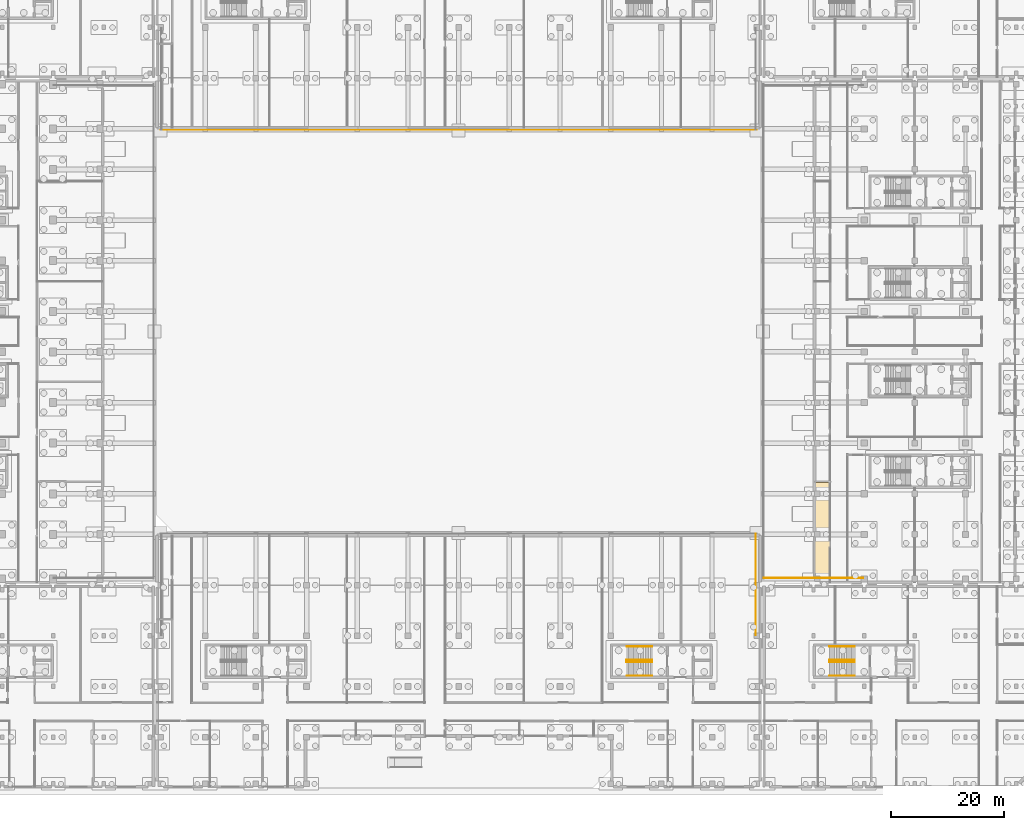
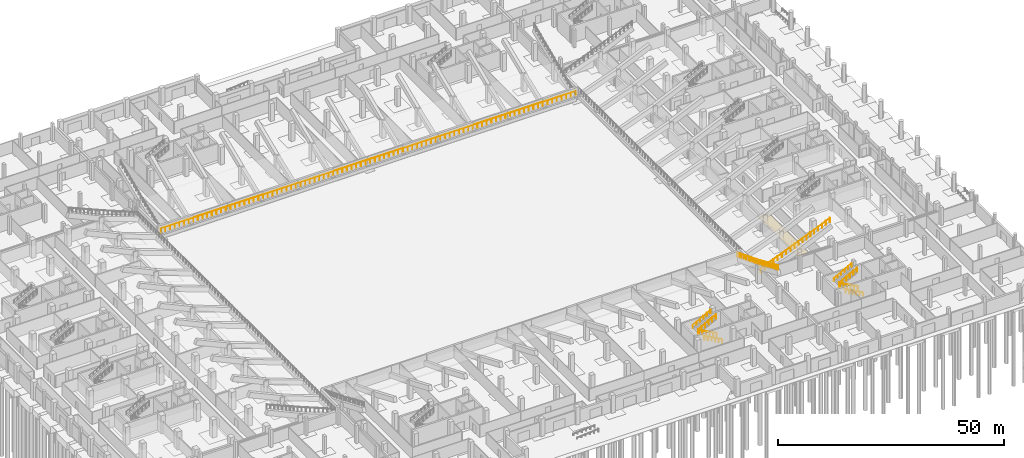
# One storey, part 47 of 53: 9 railings, 1 covering.
"""IFC4 building model written with IfcOpenShell, lengths in metres."""

from ifc_helpers import new_model, si_unit, direction, frame, origin, origin_2d, place, context, subcontext, project, spatial, polyline, circle, outline, extrude, material, layer, layer_set, type_object, element, save


model = new_model("IFC4")

# Units and contexts
model_context = context("Model", 3, precision=1e-05, world=origin(), true_north=direction((0.0, 1.0)))
body_context = subcontext(model_context, "Body", "Model", "MODEL_VIEW")
ifc_project = project(units=[si_unit("LENGTHUNIT", "METRE"), si_unit("AREAUNIT", "SQUARE_METRE"), si_unit("VOLUMEUNIT", "CUBIC_METRE"), si_unit("PLANEANGLEUNIT", "RADIAN"), si_unit("MASSUNIT", "GRAM", prefix="KILO"), si_unit("THERMODYNAMICTEMPERATUREUNIT", "KELVIN"), si_unit("POWERUNIT", "WATT")], contexts=[model_context])

# Site, building, storey
site_placement = place(None, origin())
site = spatial("IfcSite", under=ifc_project, at=site_placement, CompositionType="ELEMENT")
building_placement = place(site_placement, origin())
building = spatial("IfcBuilding", under=site, at=building_placement, Name="Sindhuravela Promenade Stadium", CompositionType="ELEMENT")
storey_placement = place(building_placement, origin())
storey = spatial("IfcBuildingStorey", under=building, at=storey_placement, Name="L00", CompositionType="ELEMENT", Elevation=0.0)

# Covering
ifc_material_1 = material(Name="Acoustic mineral-fibre ceiling tile", Category="gypsum")
ifc_layer = layer(ifc_material_1, 0.02490234375)
ifc_layer_set = layer_set([ifc_layer], Name="Acoustic mineral-fibre ceiling tile")
covering_type = type_object("IfcCoveringType", Name="CV-CEIL-1", PredefinedType="CEILING", material=ifc_layer_set)
covering_placement = place(storey_placement, frame((0.0, 0.0, 3.050048828125)))
element("IfcCovering", 1, at=covering_placement, inside=storey, type_object=covering_type, Name="Acoustic ceiling Stadium Club Shop 4", PredefinedType="CEILING", context=body_context, shape_type="SweptSolid", body=[
    extrude(outline(polyline([(173.97998046875, 36.570068359375), (173.97998046875, 36.568115234375), (173.9794921875, 36.566162109375), (173.97900390625, 36.564208984375), (173.978515625, 36.562255859375), (173.9775390625, 36.560546875), (173.9765625, 36.558837890625), (173.9755859375, 36.557373046875), (173.97412109375, 36.555908203125), (173.97265625, 36.554443359375), (173.97119140625, 36.553466796875), (173.969482421875, 36.552490234375), (173.9677734375, 36.551513671875), (173.9658203125, 36.55078125), (173.9638671875, 36.55029296875), (173.9619140625, 36.550048828125), (173.9599609375, 36.550048828125), (171.320068359375, 36.550048828125), (171.318115234375, 36.550048828125), (171.316162109375, 36.55029296875), (171.314208984375, 36.55078125), (171.312255859375, 36.551513671875), (171.310546875, 36.552490234375), (171.308837890625, 36.553466796875), (171.307373046875, 36.554443359375), (171.305908203125, 36.555908203125), (171.304443359375, 36.557373046875), (171.303466796875, 36.558837890625), (171.302490234375, 36.560546875), (171.301513671875, 36.562255859375), (171.30078125, 36.564208984375), (171.30029296875, 36.566162109375), (171.300048828125, 36.568115234375), (171.300048828125, 36.570068359375), (171.300048828125, 54.221923828125), (171.300048828125, 54.22412109375), (171.30029296875, 54.225830078125), (171.30078125, 54.227783203125), (171.301513671875, 54.229736328125), (171.302490234375, 54.2314453125), (171.303466796875, 54.233154296875), (171.304443359375, 54.234619140625), (171.305908203125, 54.236083984375), (171.307373046875, 54.237548828125), (171.308837890625, 54.238525390625), (171.310546875, 54.239501953125), (171.312255859375, 54.240478515625), (171.314208984375, 54.2412109375), (171.316162109375, 54.24169921875), (171.318115234375, 54.241943359375), (171.320068359375, 54.241943359375), (173.9599609375, 54.241943359375), (173.9619140625, 54.241943359375), (173.9638671875, 54.24169921875), (173.9658203125, 54.2412109375), (173.9677734375, 54.240478515625), (173.969482421875, 54.239501953125), (173.97119140625, 54.238525390625), (173.97265625, 54.237548828125), (173.97412109375, 54.236083984375), (173.9755859375, 54.234619140625), (173.9765625, 54.233154296875), (173.9775390625, 54.2314453125), (173.978515625, 54.229736328125), (173.97900390625, 54.227783203125), (173.9794921875, 54.225830078125), (173.97998046875, 54.22412109375), (173.97998046875, 54.221923828125), (173.97998046875, 36.570068359375)])), origin(), (0.0, 0.0, 1.0), 0.02490234375),
])

# Railings
ifc_material_2 = material(Name="Architectural wrought steel E350", Category="steel")
railing_type_1 = type_object("IfcRailingType", Name="RL-GRD-1150", PredefinedType="GUARDRAIL", material=ifc_material_2)
railing_1_placement = place(storey_placement, frame((162.14990234375, 37.25, 1.449951171875)))
element("IfcRailing", 2, at=railing_1_placement, inside=storey, type_object=railing_type_1, Name="Stand bowl crowd barrier GR01-95", PredefinedType="GUARDRAIL", context=body_context, shape_type="SweptSolid", body=[
    extrude(circle(Radius=0.02392578125, at=origin_2d()), frame((0.0, 0.0, 1.1259765625), z_axis=(0.9266377776708234, 0.0, 0.3759553550533327), x_axis=(0.0, 1.0, 0.0)), (0.0, 0.0, 1.0), 9.442626953125),
    extrude(circle(Radius=0.02392578125, at=origin_2d()), frame((8.75, 0.0, 4.67578125), z_axis=(0.9186127990796654, 0.0, 0.3951588609243405), x_axis=(0.0, 1.0, 0.0)), (0.0, 0.0, 1.0), 9.7431640625),
    extrude(circle(Radius=0.02099609375, at=origin_2d()), origin(), (0.0, 0.0, 1.0), 1.101806640625),
    extrude(circle(Radius=0.02099609375, at=origin_2d()), frame((1.09375, 0.0, 0.44384765625)), (0.0, 0.0, 1.0), 1.101806640625),
    extrude(circle(Radius=0.02099609375, at=origin_2d()), frame((2.1875, 0.0, 0.887451171875)), (0.0, 0.0, 1.0), 1.101806640625),
    extrude(circle(Radius=0.02099609375, at=origin_2d()), frame((3.28125, 0.0, 1.331298828125)), (0.0, 0.0, 1.0), 1.101806640625),
    extrude(circle(Radius=0.02099609375, at=origin_2d()), frame((4.375, 0.0, 1.77490234375)), (0.0, 0.0, 1.0), 1.101806640625),
    extrude(circle(Radius=0.02099609375, at=origin_2d()), frame((5.46875, 0.0, 2.21875)), (0.0, 0.0, 1.0), 1.101806640625),
    extrude(circle(Radius=0.02099609375, at=origin_2d()), frame((6.5625, 0.0, 2.66259765625)), (0.0, 0.0, 1.0), 1.101806640625),
    extrude(circle(Radius=0.02099609375, at=origin_2d()), frame((7.65625, 0.0, 3.106201171875)), (0.0, 0.0, 1.0), 1.101806640625),
    extrude(circle(Radius=0.02099609375, at=origin_2d()), frame((8.75, 0.0, 3.550048828125)), (0.0, 0.0, 1.0), 1.101806640625),
    extrude(circle(Radius=0.02099609375, at=origin_2d()), frame((9.744384765625, 0.0, 3.977783203125)), (0.0, 0.0, 1.0), 1.101806640625),
    extrude(circle(Radius=0.02099609375, at=origin_2d()), frame((10.739013671875, 0.0, 4.405517578125)), (0.0, 0.0, 1.0), 1.101806640625),
    extrude(circle(Radius=0.02099609375, at=origin_2d()), frame((11.7333984375, 0.0, 4.83349609375)), (0.0, 0.0, 1.0), 1.101806640625),
    extrude(circle(Radius=0.02099609375, at=origin_2d()), frame((12.727783203125, 0.0, 5.26123046875)), (0.0, 0.0, 1.0), 1.101806640625),
    extrude(circle(Radius=0.02099609375, at=origin_2d()), frame((13.722412109375, 0.0, 5.68896484375)), (0.0, 0.0, 1.0), 1.101806640625),
    extrude(circle(Radius=0.02099609375, at=origin_2d()), frame((14.716796875, 0.0, 6.11669921875)), (0.0, 0.0, 1.0), 1.101806640625),
    extrude(circle(Radius=0.02099609375, at=origin_2d()), frame((15.711181640625, 0.0, 6.544677734375)), (0.0, 0.0, 1.0), 1.101806640625),
    extrude(circle(Radius=0.02099609375, at=origin_2d()), frame((16.705810546875, 0.0, 6.972412109375)), (0.0, 0.0, 1.0), 1.101806640625),
    extrude(circle(Radius=0.02099609375, at=origin_2d()), frame((17.7001953125, 0.0, 7.400146484375)), (0.0, 0.0, 1.0), 1.101806640625),
])
railing_2_placement = place(storey_placement, frame((160.75, 45.10009765625, 1.449951171875)))
element("IfcRailing", 3, at=railing_2_placement, inside=storey, type_object=railing_type_1, Name="Stand bowl crowd barrier GR01-100", PredefinedType="GUARDRAIL", context=body_context, shape_type="SweptSolid", body=[
    extrude(circle(Radius=0.02392578125, at=origin_2d()), frame((0.0, 0.0, 1.1259765625), z_axis=(0.0, -0.9302463636097077, 0.3669355570000206), x_axis=(1.0, 0.0, 0.0)), (0.0, 0.0, 1.0), 9.6748046875),
    extrude(circle(Radius=0.02392578125, at=origin_2d()), frame((0.0, -9.0, 4.67578125), z_axis=(0.0, -0.9186127990796654, 0.3951588609243405), x_axis=(1.0, 0.0, 0.0)), (0.0, 0.0, 1.0), 9.7431640625),
    extrude(circle(Radius=0.02099609375, at=origin_2d()), origin(), (0.0, 0.0, 1.0), 1.101806640625),
    extrude(circle(Radius=0.02099609375, at=origin_2d()), frame((0.0, -1.0, 0.39453125)), (0.0, 0.0, 1.0), 1.101806640625),
    extrude(circle(Radius=0.02099609375, at=origin_2d()), frame((0.0, -2.0, 0.788818359375)), (0.0, 0.0, 1.0), 1.101806640625),
    extrude(circle(Radius=0.02099609375, at=origin_2d()), frame((0.0, -3.0, 1.183349609375)), (0.0, 0.0, 1.0), 1.101806640625),
    extrude(circle(Radius=0.02099609375, at=origin_2d()), frame((0.0, -4.0, 1.577880859375)), (0.0, 0.0, 1.0), 1.101806640625),
    extrude(circle(Radius=0.02099609375, at=origin_2d()), frame((0.0, -5.0, 1.97216796875)), (0.0, 0.0, 1.0), 1.101806640625),
    extrude(circle(Radius=0.02099609375, at=origin_2d()), frame((0.0, -6.0, 2.36669921875)), (0.0, 0.0, 1.0), 1.101806640625),
    extrude(circle(Radius=0.02099609375, at=origin_2d()), frame((0.0, -7.0, 2.76123046875)), (0.0, 0.0, 1.0), 1.101806640625),
    extrude(circle(Radius=0.02099609375, at=origin_2d()), frame((0.0, -8.0, 3.155517578125)), (0.0, 0.0, 1.0), 1.101806640625),
    extrude(circle(Radius=0.02099609375, at=origin_2d()), frame((0.0, -9.0, 3.550048828125)), (0.0, 0.0, 1.0), 1.101806640625),
    extrude(circle(Radius=0.02099609375, at=origin_2d()), frame((0.0, -9.994384765625, 3.977783203125)), (0.0, 0.0, 1.0), 1.101806640625),
    extrude(circle(Radius=0.02099609375, at=origin_2d()), frame((0.0, -10.989013671875, 4.405517578125)), (0.0, 0.0, 1.0), 1.101806640625),
    extrude(circle(Radius=0.02099609375, at=origin_2d()), frame((0.0, -11.9833984375, 4.83349609375)), (0.0, 0.0, 1.0), 1.101806640625),
    extrude(circle(Radius=0.02099609375, at=origin_2d()), frame((0.0, -12.977783203125, 5.26123046875)), (0.0, 0.0, 1.0), 1.101806640625),
    extrude(circle(Radius=0.02099609375, at=origin_2d()), frame((0.0, -13.972412109375, 5.68896484375)), (0.0, 0.0, 1.0), 1.101806640625),
    extrude(circle(Radius=0.02099609375, at=origin_2d()), frame((0.0, -14.966796875, 6.11669921875)), (0.0, 0.0, 1.0), 1.101806640625),
    extrude(circle(Radius=0.02099609375, at=origin_2d()), frame((0.0, -15.961181640625, 6.544677734375)), (0.0, 0.0, 1.0), 1.101806640625),
    extrude(circle(Radius=0.02099609375, at=origin_2d()), frame((0.0, -16.955810546875, 6.972412109375)), (0.0, 0.0, 1.0), 1.101806640625),
    extrude(circle(Radius=0.02099609375, at=origin_2d()), frame((0.0, -17.9501953125, 7.400146484375)), (0.0, 0.0, 1.0), 1.101806640625),
])
railing_3_placement = place(storey_placement, frame((55.10009765625, 116.89990234375, 1.449951171875)))
element("IfcRailing", 4, at=railing_3_placement, inside=storey, type_object=railing_type_1, Name="Stand bowl crowd barrier GR01-101", PredefinedType="GUARDRAIL", context=body_context, shape_type="SweptSolid", body=[
    extrude(circle(Radius=0.02392578125, at=origin_2d()), frame((0.0, 0.0, 1.1259765625), z_axis=(1.0, 0.0, 0.0), x_axis=(0.0, 1.0, 0.0)), (0.0, 0.0, 1.0), 105.7998046875),
    extrude(circle(Radius=0.02099609375, at=origin_2d()), origin(), (0.0, 0.0, 1.0), 1.101806640625),
    extrude(circle(Radius=0.02099609375, at=origin_2d()), frame((1.188720703125, 0.0, 0.0)), (0.0, 0.0, 1.0), 1.101806640625),
    extrude(circle(Radius=0.02099609375, at=origin_2d()), frame((2.37744140625, 0.0, 0.0)), (0.0, 0.0, 1.0), 1.101806640625),
    extrude(circle(Radius=0.02099609375, at=origin_2d()), frame((3.56640625, 0.0, 0.0)), (0.0, 0.0, 1.0), 1.101806640625),
    extrude(circle(Radius=0.02099609375, at=origin_2d()), frame((4.755126953125, 0.0, 0.0)), (0.0, 0.0, 1.0), 1.101806640625),
    extrude(circle(Radius=0.02099609375, at=origin_2d()), frame((5.94384765625, 0.0, 0.0)), (0.0, 0.0, 1.0), 1.101806640625),
    extrude(circle(Radius=0.02099609375, at=origin_2d()), frame((7.132568359375, 0.0, 0.0)), (0.0, 0.0, 1.0), 1.101806640625),
    extrude(circle(Radius=0.02099609375, at=origin_2d()), frame((8.3212890625, 0.0, 0.0)), (0.0, 0.0, 1.0), 1.101806640625),
    extrude(circle(Radius=0.02099609375, at=origin_2d()), frame((9.510009765625, 0.0, 0.0)), (0.0, 0.0, 1.0), 1.101806640625),
    extrude(circle(Radius=0.02099609375, at=origin_2d()), frame((10.698974609375, 0.0, 0.0)), (0.0, 0.0, 1.0), 1.101806640625),
    extrude(circle(Radius=0.02099609375, at=origin_2d()), frame((11.8876953125, 0.0, 0.0)), (0.0, 0.0, 1.0), 1.101806640625),
    extrude(circle(Radius=0.02099609375, at=origin_2d()), frame((13.076416015625, 0.0, 0.0)), (0.0, 0.0, 1.0), 1.101806640625),
    extrude(circle(Radius=0.02099609375, at=origin_2d()), frame((14.26513671875, 0.0, 0.0)), (0.0, 0.0, 1.0), 1.101806640625),
    extrude(circle(Radius=0.02099609375, at=origin_2d()), frame((15.453857421875, 0.0, 0.0)), (0.0, 0.0, 1.0), 1.101806640625),
    extrude(circle(Radius=0.02099609375, at=origin_2d()), frame((16.642578125, 0.0, 0.0)), (0.0, 0.0, 1.0), 1.101806640625),
    extrude(circle(Radius=0.02099609375, at=origin_2d()), frame((17.83154296875, 0.0, 0.0)), (0.0, 0.0, 1.0), 1.101806640625),
    extrude(circle(Radius=0.02099609375, at=origin_2d()), frame((19.020263671875, 0.0, 0.0)), (0.0, 0.0, 1.0), 1.101806640625),
    extrude(circle(Radius=0.02099609375, at=origin_2d()), frame((20.208984375, 0.0, 0.0)), (0.0, 0.0, 1.0), 1.101806640625),
    extrude(circle(Radius=0.02099609375, at=origin_2d()), frame((21.397705078125, 0.0, 0.0)), (0.0, 0.0, 1.0), 1.101806640625),
    extrude(circle(Radius=0.02099609375, at=origin_2d()), frame((22.58642578125, 0.0, 0.0)), (0.0, 0.0, 1.0), 1.101806640625),
    extrude(circle(Radius=0.02099609375, at=origin_2d()), frame((23.775146484375, 0.0, 0.0)), (0.0, 0.0, 1.0), 1.101806640625),
    extrude(circle(Radius=0.02099609375, at=origin_2d()), frame((24.964111328125, 0.0, 0.0)), (0.0, 0.0, 1.0), 1.101806640625),
    extrude(circle(Radius=0.02099609375, at=origin_2d()), frame((26.15283203125, 0.0, 0.0)), (0.0, 0.0, 1.0), 1.101806640625),
    extrude(circle(Radius=0.02099609375, at=origin_2d()), frame((27.341552734375, 0.0, 0.0)), (0.0, 0.0, 1.0), 1.101806640625),
    extrude(circle(Radius=0.02099609375, at=origin_2d()), frame((28.5302734375, 0.0, 0.0)), (0.0, 0.0, 1.0), 1.101806640625),
    extrude(circle(Radius=0.02099609375, at=origin_2d()), frame((29.718994140625, 0.0, 0.0)), (0.0, 0.0, 1.0), 1.101806640625),
    extrude(circle(Radius=0.02099609375, at=origin_2d()), frame((30.90771484375, 0.0, 0.0)), (0.0, 0.0, 1.0), 1.101806640625),
    extrude(circle(Radius=0.02099609375, at=origin_2d()), frame((32.0966796875, 0.0, 0.0)), (0.0, 0.0, 1.0), 1.101806640625),
    extrude(circle(Radius=0.02099609375, at=origin_2d()), frame((33.285400390625, 0.0, 0.0)), (0.0, 0.0, 1.0), 1.101806640625),
    extrude(circle(Radius=0.02099609375, at=origin_2d()), frame((34.47412109375, 0.0, 0.0)), (0.0, 0.0, 1.0), 1.101806640625),
    extrude(circle(Radius=0.02099609375, at=origin_2d()), frame((35.662841796875, 0.0, 0.0)), (0.0, 0.0, 1.0), 1.101806640625),
    extrude(circle(Radius=0.02099609375, at=origin_2d()), frame((36.8515625, 0.0, 0.0)), (0.0, 0.0, 1.0), 1.101806640625),
    extrude(circle(Radius=0.02099609375, at=origin_2d()), frame((38.040283203125, 0.0, 0.0)), (0.0, 0.0, 1.0), 1.101806640625),
    extrude(circle(Radius=0.02099609375, at=origin_2d()), frame((39.229248046875, 0.0, 0.0)), (0.0, 0.0, 1.0), 1.101806640625),
    extrude(circle(Radius=0.02099609375, at=origin_2d()), frame((40.41796875, 0.0, 0.0)), (0.0, 0.0, 1.0), 1.101806640625),
    extrude(circle(Radius=0.02099609375, at=origin_2d()), frame((41.606689453125, 0.0, 0.0)), (0.0, 0.0, 1.0), 1.101806640625),
    extrude(circle(Radius=0.02099609375, at=origin_2d()), frame((42.79541015625, 0.0, 0.0)), (0.0, 0.0, 1.0), 1.101806640625),
    extrude(circle(Radius=0.02099609375, at=origin_2d()), frame((43.984130859375, 0.0, 0.0)), (0.0, 0.0, 1.0), 1.101806640625),
    extrude(circle(Radius=0.02099609375, at=origin_2d()), frame((45.1728515625, 0.0, 0.0)), (0.0, 0.0, 1.0), 1.101806640625),
    extrude(circle(Radius=0.02099609375, at=origin_2d()), frame((46.36181640625, 0.0, 0.0)), (0.0, 0.0, 1.0), 1.101806640625),
    extrude(circle(Radius=0.02099609375, at=origin_2d()), frame((47.550537109375, 0.0, 0.0)), (0.0, 0.0, 1.0), 1.101806640625),
    extrude(circle(Radius=0.02099609375, at=origin_2d()), frame((48.7392578125, 0.0, 0.0)), (0.0, 0.0, 1.0), 1.101806640625),
    extrude(circle(Radius=0.02099609375, at=origin_2d()), frame((49.927978515625, 0.0, 0.0)), (0.0, 0.0, 1.0), 1.101806640625),
    extrude(circle(Radius=0.02099609375, at=origin_2d()), frame((51.11669921875, 0.0, 0.0)), (0.0, 0.0, 1.0), 1.101806640625),
    extrude(circle(Radius=0.02099609375, at=origin_2d()), frame((52.305419921875, 0.0, 0.0)), (0.0, 0.0, 1.0), 1.101806640625),
    extrude(circle(Radius=0.02099609375, at=origin_2d()), frame((53.494384765625, 0.0, 0.0)), (0.0, 0.0, 1.0), 1.101806640625),
    extrude(circle(Radius=0.02099609375, at=origin_2d()), frame((54.68310546875, 0.0, 0.0)), (0.0, 0.0, 1.0), 1.101806640625),
    extrude(circle(Radius=0.02099609375, at=origin_2d()), frame((55.871826171875, 0.0, 0.0)), (0.0, 0.0, 1.0), 1.101806640625),
    extrude(circle(Radius=0.02099609375, at=origin_2d()), frame((57.060546875, 0.0, 0.0)), (0.0, 0.0, 1.0), 1.101806640625),
    extrude(circle(Radius=0.02099609375, at=origin_2d()), frame((58.249267578125, 0.0, 0.0)), (0.0, 0.0, 1.0), 1.101806640625),
    extrude(circle(Radius=0.02099609375, at=origin_2d()), frame((59.43798828125, 0.0, 0.0)), (0.0, 0.0, 1.0), 1.101806640625),
    extrude(circle(Radius=0.02099609375, at=origin_2d()), frame((60.626953125, 0.0, 0.0)), (0.0, 0.0, 1.0), 1.101806640625),
    extrude(circle(Radius=0.02099609375, at=origin_2d()), frame((61.815673828125, 0.0, 0.0)), (0.0, 0.0, 1.0), 1.101806640625),
    extrude(circle(Radius=0.02099609375, at=origin_2d()), frame((63.00439453125, 0.0, 0.0)), (0.0, 0.0, 1.0), 1.101806640625),
    extrude(circle(Radius=0.02099609375, at=origin_2d()), frame((64.193115234375, 0.0, 0.0)), (0.0, 0.0, 1.0), 1.101806640625),
    extrude(circle(Radius=0.02099609375, at=origin_2d()), frame((65.3818359375, 0.0, 0.0)), (0.0, 0.0, 1.0), 1.101806640625),
    extrude(circle(Radius=0.02099609375, at=origin_2d()), frame((66.570556640625, 0.0, 0.0)), (0.0, 0.0, 1.0), 1.101806640625),
    extrude(circle(Radius=0.02099609375, at=origin_2d()), frame((67.759521484375, 0.0, 0.0)), (0.0, 0.0, 1.0), 1.101806640625),
    extrude(circle(Radius=0.02099609375, at=origin_2d()), frame((68.9482421875, 0.0, 0.0)), (0.0, 0.0, 1.0), 1.101806640625),
    extrude(circle(Radius=0.02099609375, at=origin_2d()), frame((70.136962890625, 0.0, 0.0)), (0.0, 0.0, 1.0), 1.101806640625),
    extrude(circle(Radius=0.02099609375, at=origin_2d()), frame((71.32568359375, 0.0, 0.0)), (0.0, 0.0, 1.0), 1.101806640625),
    extrude(circle(Radius=0.02099609375, at=origin_2d()), frame((72.514404296875, 0.0, 0.0)), (0.0, 0.0, 1.0), 1.101806640625),
    extrude(circle(Radius=0.02099609375, at=origin_2d()), frame((73.703125, 0.0, 0.0)), (0.0, 0.0, 1.0), 1.101806640625),
    extrude(circle(Radius=0.02099609375, at=origin_2d()), frame((74.89208984375, 0.0, 0.0)), (0.0, 0.0, 1.0), 1.101806640625),
    extrude(circle(Radius=0.02099609375, at=origin_2d()), frame((76.080810546875, 0.0, 0.0)), (0.0, 0.0, 1.0), 1.101806640625),
    extrude(circle(Radius=0.02099609375, at=origin_2d()), frame((77.26953125, 0.0, 0.0)), (0.0, 0.0, 1.0), 1.101806640625),
    extrude(circle(Radius=0.02099609375, at=origin_2d()), frame((78.458251953125, 0.0, 0.0)), (0.0, 0.0, 1.0), 1.101806640625),
    extrude(circle(Radius=0.02099609375, at=origin_2d()), frame((79.64697265625, 0.0, 0.0)), (0.0, 0.0, 1.0), 1.101806640625),
    extrude(circle(Radius=0.02099609375, at=origin_2d()), frame((80.835693359375, 0.0, 0.0)), (0.0, 0.0, 1.0), 1.101806640625),
    extrude(circle(Radius=0.02099609375, at=origin_2d()), frame((82.024658203125, 0.0, 0.0)), (0.0, 0.0, 1.0), 1.101806640625),
    extrude(circle(Radius=0.02099609375, at=origin_2d()), frame((83.21337890625, 0.0, 0.0)), (0.0, 0.0, 1.0), 1.101806640625),
    extrude(circle(Radius=0.02099609375, at=origin_2d()), frame((84.402099609375, 0.0, 0.0)), (0.0, 0.0, 1.0), 1.101806640625),
    extrude(circle(Radius=0.02099609375, at=origin_2d()), frame((85.5908203125, 0.0, 0.0)), (0.0, 0.0, 1.0), 1.101806640625),
    extrude(circle(Radius=0.02099609375, at=origin_2d()), frame((86.779541015625, 0.0, 0.0)), (0.0, 0.0, 1.0), 1.101806640625),
    extrude(circle(Radius=0.02099609375, at=origin_2d()), frame((87.96826171875, 0.0, 0.0)), (0.0, 0.0, 1.0), 1.101806640625),
    extrude(circle(Radius=0.02099609375, at=origin_2d()), frame((89.1572265625, 0.0, 0.0)), (0.0, 0.0, 1.0), 1.101806640625),
    extrude(circle(Radius=0.02099609375, at=origin_2d()), frame((90.345947265625, 0.0, 0.0)), (0.0, 0.0, 1.0), 1.101806640625),
    extrude(circle(Radius=0.02099609375, at=origin_2d()), frame((91.53466796875, 0.0, 0.0)), (0.0, 0.0, 1.0), 1.101806640625),
    extrude(circle(Radius=0.02099609375, at=origin_2d()), frame((92.723388671875, 0.0, 0.0)), (0.0, 0.0, 1.0), 1.101806640625),
    extrude(circle(Radius=0.02099609375, at=origin_2d()), frame((93.912109375, 0.0, 0.0)), (0.0, 0.0, 1.0), 1.101806640625),
    extrude(circle(Radius=0.02099609375, at=origin_2d()), frame((95.100830078125, 0.0, 0.0)), (0.0, 0.0, 1.0), 1.101806640625),
    extrude(circle(Radius=0.02099609375, at=origin_2d()), frame((96.289794921875, 0.0, 0.0)), (0.0, 0.0, 1.0), 1.101806640625),
    extrude(circle(Radius=0.02099609375, at=origin_2d()), frame((97.478515625, 0.0, 0.0)), (0.0, 0.0, 1.0), 1.101806640625),
    extrude(circle(Radius=0.02099609375, at=origin_2d()), frame((98.667236328125, 0.0, 0.0)), (0.0, 0.0, 1.0), 1.101806640625),
    extrude(circle(Radius=0.02099609375, at=origin_2d()), frame((99.85595703125, 0.0, 0.0)), (0.0, 0.0, 1.0), 1.101806640625),
    extrude(circle(Radius=0.02099609375, at=origin_2d()), frame((101.044677734375, 0.0, 0.0)), (0.0, 0.0, 1.0), 1.101806640625),
    extrude(circle(Radius=0.02099609375, at=origin_2d()), frame((102.2333984375, 0.0, 0.0)), (0.0, 0.0, 1.0), 1.101806640625),
    extrude(circle(Radius=0.02099609375, at=origin_2d()), frame((103.42236328125, 0.0, 0.0)), (0.0, 0.0, 1.0), 1.101806640625),
    extrude(circle(Radius=0.02099609375, at=origin_2d()), frame((104.611083984375, 0.0, 0.0)), (0.0, 0.0, 1.0), 1.101806640625),
    extrude(circle(Radius=0.02099609375, at=origin_2d()), frame((105.7998046875, 0.0, 0.0)), (0.0, 0.0, 1.0), 1.101806640625),
])
railing_4_placement = place(storey_placement, frame((142.35009765625, 22.31005859375, 0.0)))
element("IfcRailing", 5, at=railing_4_placement, inside=storey, type_object=railing_type_1, Name="Stair ST12 inner well guard (L00)", PredefinedType="GUARDRAIL", context=body_context, shape_type="SweptSolid", body=[
    extrude(circle(Radius=0.02392578125, at=origin_2d()), frame((0.0, 0.0, 1.1259765625), z_axis=(-0.8836546633431795, 0.0, 0.46813933390802775), x_axis=(0.0, -1.0, 0.0)), (0.0, 0.0, 1.0), 5.12646484375),
    extrude(circle(Radius=0.02392578125, at=origin_2d()), frame((-4.530029296875, 0.0, 3.52587890625), z_axis=(0.0, 1.0, 0.0), x_axis=(-1.0, 0.0, 0.0)), (0.0, 0.0, 1.0), 0.3798828125),
    extrude(circle(Radius=0.02392578125, at=origin_2d()), frame((-4.530029296875, 0.3798828125, 3.52587890625), z_axis=(0.8836349624059475, 0.0, 0.46817651928929505), x_axis=(0.0, 1.0, 0.0)), (0.0, 0.0, 1.0), 5.12646484375),
    extrude(circle(Radius=0.02099609375, at=origin_2d()), origin(), (0.0, 0.0, 1.0), 1.101806640625),
    extrude(circle(Radius=0.02099609375, at=origin_2d()), frame((-0.906005859375, 0.0, 0.47998046875)), (0.0, 0.0, 1.0), 1.101806640625),
    extrude(circle(Radius=0.02099609375, at=origin_2d()), frame((-1.81201171875, 0.0, 0.9599609375)), (0.0, 0.0, 1.0), 1.101806640625),
    extrude(circle(Radius=0.02099609375, at=origin_2d()), frame((-2.718017578125, 0.0, 1.43994140625)), (0.0, 0.0, 1.0), 1.101806640625),
    extrude(circle(Radius=0.02099609375, at=origin_2d()), frame((-3.6240234375, 0.0, 1.919921875)), (0.0, 0.0, 1.0), 1.101806640625),
    extrude(circle(Radius=0.02099609375, at=origin_2d()), frame((-4.530029296875, 0.0, 2.39990234375)), (0.0, 0.0, 1.0), 1.101806640625),
    extrude(circle(Radius=0.02099609375, at=origin_2d()), frame((-4.530029296875, 0.3798828125, 2.39990234375)), (0.0, 0.0, 1.0), 1.101806640625),
    extrude(circle(Radius=0.02099609375, at=origin_2d()), frame((-3.6240234375, 0.3798828125, 2.8798828125)), (0.0, 0.0, 1.0), 1.101806640625),
    extrude(circle(Radius=0.02099609375, at=origin_2d()), frame((-2.718017578125, 0.3798828125, 3.35986328125)), (0.0, 0.0, 1.0), 1.101806640625),
    extrude(circle(Radius=0.02099609375, at=origin_2d()), frame((-1.81201171875, 0.3798828125, 3.840087890625)), (0.0, 0.0, 1.0), 1.101806640625),
    extrude(circle(Radius=0.02099609375, at=origin_2d()), frame((-0.906005859375, 0.3798828125, 4.320068359375)), (0.0, 0.0, 1.0), 1.101806640625),
    extrude(circle(Radius=0.02099609375, at=origin_2d()), frame((0.0, 0.3798828125, 4.800048828125)), (0.0, 0.0, 1.0), 1.101806640625),
])
railing_5_placement = place(storey_placement, frame((178.35009765625, 22.31005859375, 0.0)))
element("IfcRailing", 6, at=railing_5_placement, inside=storey, type_object=railing_type_1, Name="Stair GS02 inner well guard (L00)", PredefinedType="GUARDRAIL", context=body_context, shape_type="SweptSolid", body=[
    extrude(circle(Radius=0.02392578125, at=origin_2d()), frame((0.0, 0.0, 1.1259765625), z_axis=(-0.8836546633431795, 0.0, 0.46813933390802775), x_axis=(0.0, -1.0, 0.0)), (0.0, 0.0, 1.0), 5.12646484375),
    extrude(circle(Radius=0.02392578125, at=origin_2d()), frame((-4.530029296875, 0.0, 3.52587890625), z_axis=(0.0, 1.0, 0.0), x_axis=(-1.0, 0.0, 0.0)), (0.0, 0.0, 1.0), 0.3798828125),
    extrude(circle(Radius=0.02392578125, at=origin_2d()), frame((-4.530029296875, 0.3798828125, 3.52587890625), z_axis=(0.8836349624059475, 0.0, 0.46817651928929505), x_axis=(0.0, 1.0, 0.0)), (0.0, 0.0, 1.0), 5.12646484375),
    extrude(circle(Radius=0.02099609375, at=origin_2d()), origin(), (0.0, 0.0, 1.0), 1.101806640625),
    extrude(circle(Radius=0.02099609375, at=origin_2d()), frame((-0.906005859375, 0.0, 0.47998046875)), (0.0, 0.0, 1.0), 1.101806640625),
    extrude(circle(Radius=0.02099609375, at=origin_2d()), frame((-1.81201171875, 0.0, 0.9599609375)), (0.0, 0.0, 1.0), 1.101806640625),
    extrude(circle(Radius=0.02099609375, at=origin_2d()), frame((-2.718017578125, 0.0, 1.43994140625)), (0.0, 0.0, 1.0), 1.101806640625),
    extrude(circle(Radius=0.02099609375, at=origin_2d()), frame((-3.6240234375, 0.0, 1.919921875)), (0.0, 0.0, 1.0), 1.101806640625),
    extrude(circle(Radius=0.02099609375, at=origin_2d()), frame((-4.530029296875, 0.0, 2.39990234375)), (0.0, 0.0, 1.0), 1.101806640625),
    extrude(circle(Radius=0.02099609375, at=origin_2d()), frame((-4.530029296875, 0.3798828125, 2.39990234375)), (0.0, 0.0, 1.0), 1.101806640625),
    extrude(circle(Radius=0.02099609375, at=origin_2d()), frame((-3.6240234375, 0.3798828125, 2.8798828125)), (0.0, 0.0, 1.0), 1.101806640625),
    extrude(circle(Radius=0.02099609375, at=origin_2d()), frame((-2.718017578125, 0.3798828125, 3.35986328125)), (0.0, 0.0, 1.0), 1.101806640625),
    extrude(circle(Radius=0.02099609375, at=origin_2d()), frame((-1.81201171875, 0.3798828125, 3.840087890625)), (0.0, 0.0, 1.0), 1.101806640625),
    extrude(circle(Radius=0.02099609375, at=origin_2d()), frame((-0.906005859375, 0.3798828125, 4.320068359375)), (0.0, 0.0, 1.0), 1.101806640625),
    extrude(circle(Radius=0.02099609375, at=origin_2d()), frame((0.0, 0.3798828125, 4.800048828125)), (0.0, 0.0, 1.0), 1.101806640625),
])
railing_type_2 = type_object("IfcRailingType", Name="RL-HND-920", PredefinedType="HANDRAIL", material=ifc_material_2)
railing_6_placement = place(storey_placement, frame((142.35009765625, 19.919921875, 0.0)))
element("IfcRailing", 7, at=railing_6_placement, inside=storey, type_object=railing_type_2, Name="Stair ST12 lower wall handrail (L00)", PredefinedType="HANDRAIL", context=body_context, shape_type="SweptSolid", body=[
    extrude(circle(Radius=0.02392578125, at=origin_2d()), frame((0.0, 0.0, 0.89599609375), z_axis=(-0.8823608919668723, 0.0, 0.4705733272588083), x_axis=(0.0, -1.0, 0.0)), (0.0, 0.0, 1.0), 5.099853515625),
    extrude(circle(Radius=0.02099609375, at=origin_2d()), origin(), (0.0, 0.0, 1.0), 0.871826171875),
    extrude(circle(Radius=0.02099609375, at=origin_2d()), frame((-0.89990234375, 0.0, 0.47998046875)), (0.0, 0.0, 1.0), 0.871826171875),
    extrude(circle(Radius=0.02099609375, at=origin_2d()), frame((-1.800048828125, 0.0, 0.9599609375)), (0.0, 0.0, 1.0), 0.871826171875),
    extrude(circle(Radius=0.02099609375, at=origin_2d()), frame((-2.699951171875, 0.0, 1.43994140625)), (0.0, 0.0, 1.0), 0.871826171875),
    extrude(circle(Radius=0.02099609375, at=origin_2d()), frame((-3.60009765625, 0.0, 1.919921875)), (0.0, 0.0, 1.0), 0.871826171875),
    extrude(circle(Radius=0.02099609375, at=origin_2d()), frame((-4.5, 0.0, 2.39990234375)), (0.0, 0.0, 1.0), 0.871826171875),
])
railing_7_placement = place(storey_placement, frame((137.85009765625, 25.080078125, 2.39990234375)))
element("IfcRailing", 8, at=railing_7_placement, inside=storey, type_object=railing_type_2, Name="Stair ST12 upper wall handrail (L00)", PredefinedType="HANDRAIL", context=body_context, shape_type="SweptSolid", body=[
    extrude(circle(Radius=0.02392578125, at=origin_2d()), frame((0.0, 0.0, 0.89599609375), z_axis=(0.8823410147872734, 0.0, 0.47061059659145427), x_axis=(0.0, 1.0, 0.0)), (0.0, 0.0, 1.0), 5.10009765625),
    extrude(circle(Radius=0.02099609375, at=origin_2d()), origin(), (0.0, 0.0, 1.0), 0.871826171875),
    extrude(circle(Radius=0.02099609375, at=origin_2d()), frame((0.89990234375, 0.0, 0.47998046875)), (0.0, 0.0, 1.0), 0.871826171875),
    extrude(circle(Radius=0.02099609375, at=origin_2d()), frame((1.800048828125, 0.0, 0.9599609375)), (0.0, 0.0, 1.0), 0.871826171875),
    extrude(circle(Radius=0.02099609375, at=origin_2d()), frame((2.699951171875, 0.0, 1.440185546875)), (0.0, 0.0, 1.0), 0.871826171875),
    extrude(circle(Radius=0.02099609375, at=origin_2d()), frame((3.60009765625, 0.0, 1.920166015625)), (0.0, 0.0, 1.0), 0.871826171875),
    extrude(circle(Radius=0.02099609375, at=origin_2d()), frame((4.5, 0.0, 2.400146484375)), (0.0, 0.0, 1.0), 0.871826171875),
])
railing_8_placement = place(storey_placement, frame((178.35009765625, 19.919921875, 0.0)))
element("IfcRailing", 9, at=railing_8_placement, inside=storey, type_object=railing_type_2, Name="Stair GS02 lower wall handrail (L00)", PredefinedType="HANDRAIL", context=body_context, shape_type="SweptSolid", body=[
    extrude(circle(Radius=0.02392578125, at=origin_2d()), frame((0.0, 0.0, 0.89599609375), z_axis=(-0.8823608919668723, 0.0, 0.4705733272588083), x_axis=(0.0, -1.0, 0.0)), (0.0, 0.0, 1.0), 5.099853515625),
    extrude(circle(Radius=0.02099609375, at=origin_2d()), origin(), (0.0, 0.0, 1.0), 0.871826171875),
    extrude(circle(Radius=0.02099609375, at=origin_2d()), frame((-0.89990234375, 0.0, 0.47998046875)), (0.0, 0.0, 1.0), 0.871826171875),
    extrude(circle(Radius=0.02099609375, at=origin_2d()), frame((-1.800048828125, 0.0, 0.9599609375)), (0.0, 0.0, 1.0), 0.871826171875),
    extrude(circle(Radius=0.02099609375, at=origin_2d()), frame((-2.699951171875, 0.0, 1.43994140625)), (0.0, 0.0, 1.0), 0.871826171875),
    extrude(circle(Radius=0.02099609375, at=origin_2d()), frame((-3.60009765625, 0.0, 1.919921875)), (0.0, 0.0, 1.0), 0.871826171875),
    extrude(circle(Radius=0.02099609375, at=origin_2d()), frame((-4.5, 0.0, 2.39990234375)), (0.0, 0.0, 1.0), 0.871826171875),
])
railing_9_placement = place(storey_placement, frame((173.85009765625, 25.080078125, 2.39990234375)))
element("IfcRailing", 10, at=railing_9_placement, inside=storey, type_object=railing_type_2, Name="Stair GS02 upper wall handrail (L00)", PredefinedType="HANDRAIL", context=body_context, shape_type="SweptSolid", body=[
    extrude(circle(Radius=0.02392578125, at=origin_2d()), frame((0.0, 0.0, 0.89599609375), z_axis=(0.8823410147872734, 0.0, 0.47061059659145427), x_axis=(0.0, 1.0, 0.0)), (0.0, 0.0, 1.0), 5.10009765625),
    extrude(circle(Radius=0.02099609375, at=origin_2d()), origin(), (0.0, 0.0, 1.0), 0.871826171875),
    extrude(circle(Radius=0.02099609375, at=origin_2d()), frame((0.89990234375, 0.0, 0.47998046875)), (0.0, 0.0, 1.0), 0.871826171875),
    extrude(circle(Radius=0.02099609375, at=origin_2d()), frame((1.800048828125, 0.0, 0.9599609375)), (0.0, 0.0, 1.0), 0.871826171875),
    extrude(circle(Radius=0.02099609375, at=origin_2d()), frame((2.699951171875, 0.0, 1.440185546875)), (0.0, 0.0, 1.0), 0.871826171875),
    extrude(circle(Radius=0.02099609375, at=origin_2d()), frame((3.60009765625, 0.0, 1.920166015625)), (0.0, 0.0, 1.0), 0.871826171875),
    extrude(circle(Radius=0.02099609375, at=origin_2d()), frame((4.5, 0.0, 2.400146484375)), (0.0, 0.0, 1.0), 0.871826171875),
])

save(model, "model.ifc")
